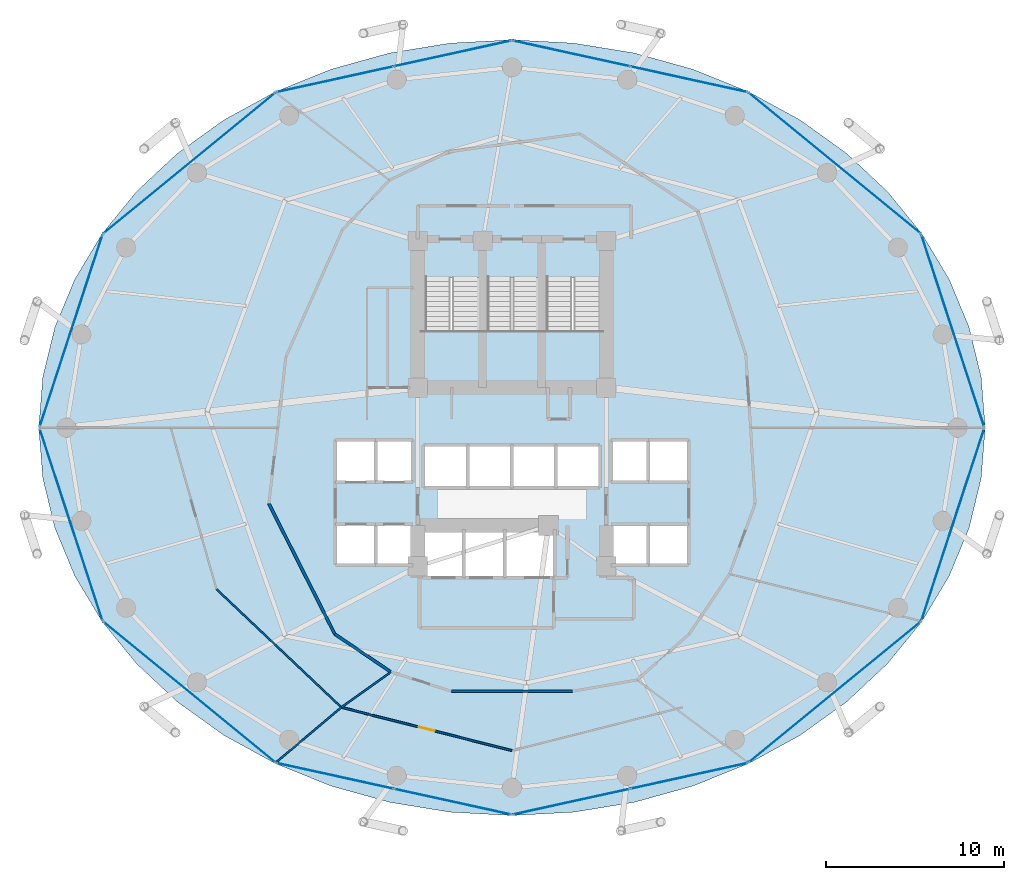
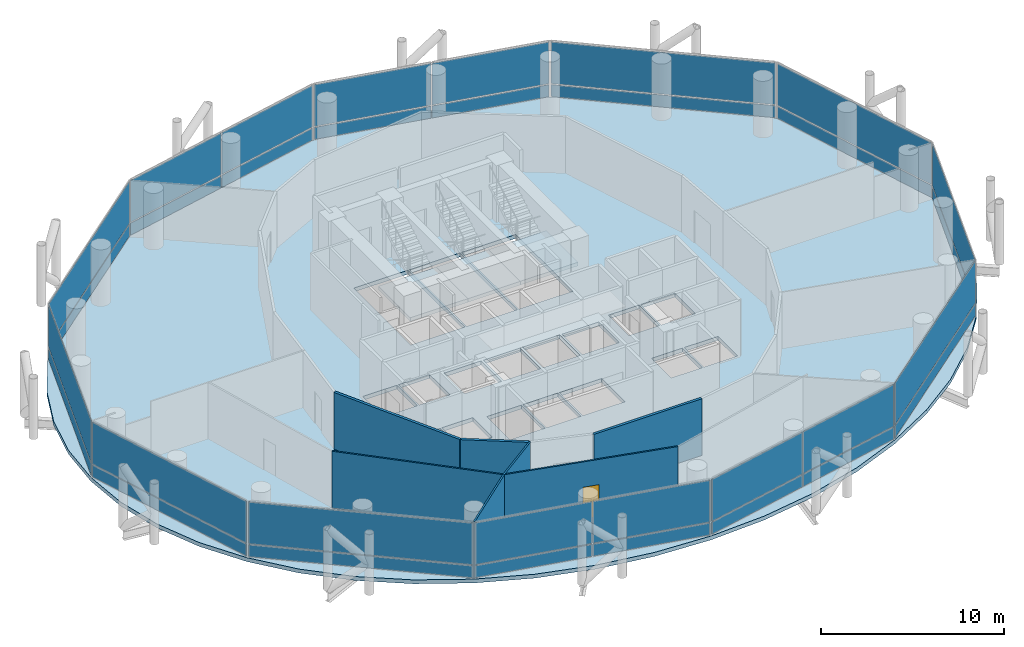
# One storey, part 20 of 24: 32 plates, 7 walls, 4 slabs, 1 door, 1 opening, 15 elements without a shape of their own.
"""IFC4 building model written with IfcOpenShell, lengths in metres."""

from ifc_helpers import new_model, si_unit, direction, frame, frame_2d, origin, origin_2d, place, context, subcontext, project, spatial, polyline, rectangle, outline, extrude, material, layer, layer_set, type_object, element, fill, aggregate, save


model = new_model("IFC4")

# Units and contexts
model_context = context("Model", 3, precision=1e-05, world=origin(), true_north=direction((0.0, 1.0)))
body_context = subcontext(model_context, "Body", "Model", "MODEL_VIEW")
ifc_project = project(units=[si_unit("LENGTHUNIT", "METRE"), si_unit("AREAUNIT", "SQUARE_METRE"), si_unit("VOLUMEUNIT", "CUBIC_METRE"), si_unit("PLANEANGLEUNIT", "RADIAN"), si_unit("MASSUNIT", "GRAM", prefix="KILO")], contexts=[model_context])

# Site, building, storey
site_placement = place(None, origin())
site = spatial("IfcSite", under=ifc_project, at=site_placement, CompositionType="ELEMENT")
building_placement = place(site_placement, origin())
building = spatial("IfcBuilding", under=site, at=building_placement, Name="Nuhasar Tower", CompositionType="ELEMENT")
storey_placement = place(building_placement, frame((0.0, 0.0, 33.14990234375)))
storey = spatial("IfcBuildingStorey", under=building, at=storey_placement, Name="L07", CompositionType="ELEMENT", Elevation=33.14990234375)

# Curtain wall, plate
ifc_material_1 = material(Name="Aluminium 6063-T6", Category="aluminium")
ifc_layer_1 = layer(ifc_material_1, 0.199951171875)
ifc_layer_set_1 = layer_set([ifc_layer_1], Name="Aluminium 6063-T6")
curtain_wall_type = type_object("IfcCurtainWallType", Name="CW-Z1-OFF", PredefinedType="NOTDEFINED", material=ifc_layer_set_1)
curtain_wall_1_placement = place(storey_placement, origin())
curtain_wall_1 = element("IfcCurtainWall", 1, at=curtain_wall_1_placement, inside=storey, type_object=curtain_wall_type, Name="L07 Unitised Curtain Wall 01", PredefinedType="NOTDEFINED")
ifc_material_2 = material(Name="Glass Double Low-E", Category="glass")
ifc_layer_2 = layer(ifc_material_2, 0.028076171875)
ifc_layer_set_2 = layer_set([ifc_layer_2], Name="Glass Double Low-E")
plate_type_1 = type_object("IfcPlateType", Name="CW-PANEL-GLZ", PredefinedType="CURTAIN_PANEL", material=ifc_layer_set_2)
plate_1_placement = place(storey_placement, frame((63.781005859375, 32.239990234375, 0.9326171875), z_axis=(0.0, 0.0, 1.0), x_axis=(-0.310823849997, 0.950467534571, 0.0)))
plate_1 = element("IfcPlate", 2, at=plate_1_placement, type_object=plate_type_1, Name="CW-Z1 panel 1.2", PredefinedType="CURTAIN_PANEL", context=body_context, shape_type="SweptSolid", body=[
    extrude(rectangle(XDim=11.31689453125, YDim=0.028076171875, at=origin_2d()), origin(), (0.0, 0.0, 1.0), 2.79248046875),
])

curtain_wall_2_placement = place(storey_placement, origin())
curtain_wall_2 = element("IfcCurtainWall", 3, at=curtain_wall_2_placement, inside=storey, type_object=curtain_wall_type, Name="L07 Unitised Curtain Wall 02", PredefinedType="NOTDEFINED")
plate_2_placement = place(storey_placement, frame((57.14111328125, 41.66259765625, 0.9326171875), z_axis=(0.0, 0.0, 1.0), x_axis=(-0.773542364946, 0.633744593376, 0.0)))
plate_2 = element("IfcPlate", 4, at=plate_2_placement, type_object=plate_type_1, Name="CW-Z1 panel 1.2", PredefinedType="CURTAIN_PANEL", context=body_context, shape_type="SweptSolid", body=[
    extrude(rectangle(XDim=12.438232421875, YDim=0.028076171875, at=origin_2d()), origin(), (0.0, 0.0, 1.0), 2.79248046875),
])

# Curtain wall, plates
curtain_wall_3_placement = place(storey_placement, origin())
curtain_wall_3 = element("IfcCurtainWall", 5, at=curtain_wall_3_placement, inside=storey, type_object=curtain_wall_type, Name="L07 Unitised Curtain Wall 03", PredefinedType="NOTDEFINED")
plate_3_placement = place(storey_placement, frame((48.944091796875, 46.377197265625, 0.9326171875), z_axis=(0.0, 0.0, 1.0), x_axis=(-0.976746221544, 0.214398737637, 0.0)))
plate_3 = element("IfcPlate", 6, at=plate_3_placement, type_object=plate_type_1, Name="CW-Z1 panel 1.2", PredefinedType="CURTAIN_PANEL", context=body_context, shape_type="SweptSolid", body=[
    extrude(rectangle(XDim=6.70068359375, YDim=0.028076171875, at=origin_2d()), origin(), (0.0, 0.0, 1.0), 2.79248046875),
])
plate_4_placement = place(storey_placement, frame((42.3359375, 47.827880859375, 0.9326171875), z_axis=(0.0, 0.0, 1.0), x_axis=(-0.976746221544, 0.214398737637, 0.0)))
plate_4 = element("IfcPlate", 7, at=plate_4_placement, type_object=plate_type_1, Name="CW-Z1 panel 2.2", PredefinedType="CURTAIN_PANEL", context=body_context, shape_type="SweptSolid", body=[
    extrude(rectangle(XDim=6.70068359375, YDim=0.028076171875, at=origin_2d()), origin(), (0.0, 0.0, 1.0), 2.79248046875),
])

curtain_wall_4_placement = place(storey_placement, origin())
curtain_wall_4 = element("IfcCurtainWall", 8, at=curtain_wall_4_placement, inside=storey, type_object=curtain_wall_type, Name="L07 Unitised Curtain Wall 04", PredefinedType="NOTDEFINED")
plate_5_placement = place(storey_placement, frame((35.6640625, 47.827880859375, 0.9326171875), z_axis=(0.0, 0.0, 1.0), x_axis=(-0.976746221544, -0.214398737637, 0.0)))
plate_5 = element("IfcPlate", 9, at=plate_5_placement, type_object=plate_type_1, Name="CW-Z1 panel 1.2", PredefinedType="CURTAIN_PANEL", context=body_context, shape_type="SweptSolid", body=[
    extrude(rectangle(XDim=6.70068359375, YDim=0.028076171875, at=origin_2d()), origin(), (0.0, 0.0, 1.0), 2.79248046875),
])
plate_6_placement = place(storey_placement, frame((29.055908203125, 46.377197265625, 0.9326171875), z_axis=(0.0, 0.0, 1.0), x_axis=(-0.976746221544, -0.214398737637, 0.0)))
plate_6 = element("IfcPlate", 10, at=plate_6_placement, type_object=plate_type_1, Name="CW-Z1 panel 2.2", PredefinedType="CURTAIN_PANEL", context=body_context, shape_type="SweptSolid", body=[
    extrude(rectangle(XDim=6.70068359375, YDim=0.028076171875, at=origin_2d()), origin(), (0.0, 0.0, 1.0), 2.79248046875),
])

# Curtain wall, plate
curtain_wall_5_placement = place(storey_placement, origin())
curtain_wall_5 = element("IfcCurtainWall", 11, at=curtain_wall_5_placement, inside=storey, type_object=curtain_wall_type, Name="L07 Unitised Curtain Wall 05", PredefinedType="NOTDEFINED")
plate_7_placement = place(storey_placement, frame((20.85888671875, 41.66259765625, 0.9326171875), z_axis=(0.0, 0.0, 1.0), x_axis=(-0.773542364946, -0.633744593376, 0.0)))
plate_7 = element("IfcPlate", 12, at=plate_7_placement, type_object=plate_type_1, Name="CW-Z1 panel 1.2", PredefinedType="CURTAIN_PANEL", context=body_context, shape_type="SweptSolid", body=[
    extrude(rectangle(XDim=12.438232421875, YDim=0.028076171875, at=origin_2d()), origin(), (0.0, 0.0, 1.0), 2.79248046875),
])

curtain_wall_6_placement = place(storey_placement, origin())
curtain_wall_6 = element("IfcCurtainWall", 13, at=curtain_wall_6_placement, inside=storey, type_object=curtain_wall_type, Name="L07 Unitised Curtain Wall 06", PredefinedType="NOTDEFINED")
plate_8_placement = place(storey_placement, frame((14.218994140625, 32.239990234375, 0.9326171875), z_axis=(0.0, 0.0, 1.0), x_axis=(-0.310823849997, -0.950467534571, 0.0)))
plate_8 = element("IfcPlate", 14, at=plate_8_placement, type_object=plate_type_1, Name="CW-Z1 panel 1.2", PredefinedType="CURTAIN_PANEL", context=body_context, shape_type="SweptSolid", body=[
    extrude(rectangle(XDim=11.31689453125, YDim=0.028076171875, at=origin_2d()), origin(), (0.0, 0.0, 1.0), 2.79248046875),
])

curtain_wall_7_placement = place(storey_placement, origin())
curtain_wall_7 = element("IfcCurtainWall", 15, at=curtain_wall_7_placement, inside=storey, type_object=curtain_wall_type, Name="L07 Unitised Curtain Wall 07", PredefinedType="NOTDEFINED")
plate_9_placement = place(storey_placement, frame((14.218994140625, 21.360107421875, 0.9326171875), z_axis=(0.0, 0.0, 1.0), x_axis=(0.310823849997, -0.950467534571, 0.0)))
plate_9 = element("IfcPlate", 16, at=plate_9_placement, type_object=plate_type_1, Name="CW-Z1 panel 1.2", PredefinedType="CURTAIN_PANEL", context=body_context, shape_type="SweptSolid", body=[
    extrude(rectangle(XDim=11.31689453125, YDim=0.028076171875, at=origin_2d()), origin(), (0.0, 0.0, 1.0), 2.79248046875),
])

curtain_wall_8_placement = place(storey_placement, origin())
curtain_wall_8 = element("IfcCurtainWall", 17, at=curtain_wall_8_placement, inside=storey, type_object=curtain_wall_type, Name="L07 Unitised Curtain Wall 08", PredefinedType="NOTDEFINED")
plate_10_placement = place(storey_placement, frame((20.85888671875, 11.9375, 0.9326171875), z_axis=(0.0, 0.0, 1.0), x_axis=(0.773542364946, -0.633744593376, 0.0)))
plate_10 = element("IfcPlate", 18, at=plate_10_placement, type_object=plate_type_1, Name="CW-Z1 panel 1.2", PredefinedType="CURTAIN_PANEL", context=body_context, shape_type="SweptSolid", body=[
    extrude(rectangle(XDim=12.438232421875, YDim=0.028076171875, at=origin_2d()), origin(), (0.0, 0.0, 1.0), 2.79248046875),
])

# Curtain wall, plates
curtain_wall_9_placement = place(storey_placement, origin())
curtain_wall_9 = element("IfcCurtainWall", 19, at=curtain_wall_9_placement, inside=storey, type_object=curtain_wall_type, Name="L07 Unitised Curtain Wall 09", PredefinedType="NOTDEFINED")
plate_11_placement = place(storey_placement, frame((29.055908203125, 7.22265625, 0.9326171875), z_axis=(0.0, 0.0, 1.0), x_axis=(0.976746221544, -0.214398737637, 0.0)))
plate_11 = element("IfcPlate", 20, at=plate_11_placement, type_object=plate_type_1, Name="CW-Z1 panel 1.2", PredefinedType="CURTAIN_PANEL", context=body_context, shape_type="SweptSolid", body=[
    extrude(rectangle(XDim=6.70068359375, YDim=0.028076171875, at=origin_2d()), origin(), (0.0, 0.0, 1.0), 2.79248046875),
])
plate_12_placement = place(storey_placement, frame((35.6640625, 5.772216796875, 0.9326171875), z_axis=(0.0, 0.0, 1.0), x_axis=(0.976746221544, -0.214398737637, 0.0)))
plate_12 = element("IfcPlate", 21, at=plate_12_placement, type_object=plate_type_1, Name="CW-Z1 panel 2.2", PredefinedType="CURTAIN_PANEL", context=body_context, shape_type="SweptSolid", body=[
    extrude(rectangle(XDim=6.70068359375, YDim=0.028076171875, at=origin_2d()), origin(), (0.0, 0.0, 1.0), 2.79248046875),
])

curtain_wall_10_placement = place(storey_placement, origin())
curtain_wall_10 = element("IfcCurtainWall", 22, at=curtain_wall_10_placement, inside=storey, type_object=curtain_wall_type, Name="L07 Unitised Curtain Wall 10", PredefinedType="NOTDEFINED")
plate_13_placement = place(storey_placement, frame((42.3359375, 5.772216796875, 0.9326171875), z_axis=(0.0, 0.0, 1.0), x_axis=(0.976746221544, 0.214398737637, 0.0)))
plate_13 = element("IfcPlate", 23, at=plate_13_placement, type_object=plate_type_1, Name="CW-Z1 panel 1.2", PredefinedType="CURTAIN_PANEL", context=body_context, shape_type="SweptSolid", body=[
    extrude(rectangle(XDim=6.70068359375, YDim=0.028076171875, at=origin_2d()), origin(), (0.0, 0.0, 1.0), 2.79248046875),
])
plate_14_placement = place(storey_placement, frame((48.944091796875, 7.22265625, 0.9326171875), z_axis=(0.0, 0.0, 1.0), x_axis=(0.976746221544, 0.214398737637, 0.0)))
plate_14 = element("IfcPlate", 24, at=plate_14_placement, type_object=plate_type_1, Name="CW-Z1 panel 2.2", PredefinedType="CURTAIN_PANEL", context=body_context, shape_type="SweptSolid", body=[
    extrude(rectangle(XDim=6.70068359375, YDim=0.028076171875, at=origin_2d()), origin(), (0.0, 0.0, 1.0), 2.79248046875),
])

# Curtain wall, plate
curtain_wall_11_placement = place(storey_placement, origin())
curtain_wall_11 = element("IfcCurtainWall", 25, at=curtain_wall_11_placement, inside=storey, type_object=curtain_wall_type, Name="L07 Unitised Curtain Wall 11", PredefinedType="NOTDEFINED")
plate_15_placement = place(storey_placement, frame((57.14111328125, 11.9375, 0.9326171875), z_axis=(0.0, 0.0, 1.0), x_axis=(0.773542364946, 0.633744593376, 0.0)))
plate_15 = element("IfcPlate", 26, at=plate_15_placement, type_object=plate_type_1, Name="CW-Z1 panel 1.2", PredefinedType="CURTAIN_PANEL", context=body_context, shape_type="SweptSolid", body=[
    extrude(rectangle(XDim=12.438232421875, YDim=0.028076171875, at=origin_2d()), origin(), (0.0, 0.0, 1.0), 2.79248046875),
])

curtain_wall_12_placement = place(storey_placement, origin())
curtain_wall_12 = element("IfcCurtainWall", 27, at=curtain_wall_12_placement, inside=storey, type_object=curtain_wall_type, Name="L07 Unitised Curtain Wall 12", PredefinedType="NOTDEFINED")
plate_16_placement = place(storey_placement, frame((63.781005859375, 21.360107421875, 0.9326171875), z_axis=(0.0, 0.0, 1.0), x_axis=(0.310823849997, 0.950467534571, 0.0)))
plate_16 = element("IfcPlate", 28, at=plate_16_placement, type_object=plate_type_1, Name="CW-Z1 panel 1.2", PredefinedType="CURTAIN_PANEL", context=body_context, shape_type="SweptSolid", body=[
    extrude(rectangle(XDim=11.31689453125, YDim=0.028076171875, at=origin_2d()), origin(), (0.0, 0.0, 1.0), 2.79248046875),
])

# Plate
ifc_material_3 = material(Name="Glass Spandrel", Category="glass")
ifc_layer_3 = layer(ifc_material_3, 0.035888671875)
ifc_layer_set_3 = layer_set([ifc_layer_3], Name="Glass Spandrel")
plate_type_2 = type_object("IfcPlateType", Name="CW-PANEL-SPN", PredefinedType="CURTAIN_PANEL", material=ifc_layer_set_3)
plate_17_placement = place(storey_placement, frame((63.781005859375, 32.239990234375, 0.06494140625), z_axis=(0.0, 0.0, 1.0), x_axis=(-0.310823849997, 0.950467534571, 0.0)))
plate_17 = element("IfcPlate", 29, at=plate_17_placement, type_object=plate_type_2, Name="CW-Z1 panel 1.1", PredefinedType="CURTAIN_PANEL", context=body_context, shape_type="SweptSolid", body=[
    extrude(rectangle(XDim=11.31689453125, YDim=0.035888671875, at=origin_2d()), origin(), (0.0, 0.0, 1.0), 0.802490234375),
])

aggregate(curtain_wall_1, [plate_17, plate_1])

plate_18_placement = place(storey_placement, frame((57.14111328125, 41.66259765625, 0.06494140625), z_axis=(0.0, 0.0, 1.0), x_axis=(-0.773542364946, 0.633744593376, 0.0)))
plate_18 = element("IfcPlate", 30, at=plate_18_placement, type_object=plate_type_2, Name="CW-Z1 panel 1.1", PredefinedType="CURTAIN_PANEL", context=body_context, shape_type="SweptSolid", body=[
    extrude(rectangle(XDim=12.438232421875, YDim=0.035888671875, at=origin_2d()), origin(), (0.0, 0.0, 1.0), 0.802490234375),
])

aggregate(curtain_wall_2, [plate_18, plate_2])

plate_19_placement = place(storey_placement, frame((48.944091796875, 46.377197265625, 0.06494140625), z_axis=(0.0, 0.0, 1.0), x_axis=(-0.976746221544, 0.214398737637, 0.0)))
plate_19 = element("IfcPlate", 31, at=plate_19_placement, type_object=plate_type_2, Name="CW-Z1 panel 1.1", PredefinedType="CURTAIN_PANEL", context=body_context, shape_type="SweptSolid", body=[
    extrude(rectangle(XDim=6.70068359375, YDim=0.035888671875, at=origin_2d()), origin(), (0.0, 0.0, 1.0), 0.802490234375),
])

plate_20_placement = place(storey_placement, frame((42.3359375, 47.827880859375, 0.06494140625), z_axis=(0.0, 0.0, 1.0), x_axis=(-0.976746221544, 0.214398737637, 0.0)))
plate_20 = element("IfcPlate", 32, at=plate_20_placement, type_object=plate_type_2, Name="CW-Z1 panel 2.1", PredefinedType="CURTAIN_PANEL", context=body_context, shape_type="SweptSolid", body=[
    extrude(rectangle(XDim=6.70068359375, YDim=0.035888671875, at=origin_2d()), origin(), (0.0, 0.0, 1.0), 0.802490234375),
])

aggregate(curtain_wall_3, [plate_19, plate_3, plate_20, plate_4])

plate_21_placement = place(storey_placement, frame((35.6640625, 47.827880859375, 0.06494140625), z_axis=(0.0, 0.0, 1.0), x_axis=(-0.976746221544, -0.214398737637, 0.0)))
plate_21 = element("IfcPlate", 33, at=plate_21_placement, type_object=plate_type_2, Name="CW-Z1 panel 1.1", PredefinedType="CURTAIN_PANEL", context=body_context, shape_type="SweptSolid", body=[
    extrude(rectangle(XDim=6.70068359375, YDim=0.035888671875, at=origin_2d()), origin(), (0.0, 0.0, 1.0), 0.802490234375),
])

plate_22_placement = place(storey_placement, frame((29.055908203125, 46.377197265625, 0.06494140625), z_axis=(0.0, 0.0, 1.0), x_axis=(-0.976746221544, -0.214398737637, 0.0)))
plate_22 = element("IfcPlate", 34, at=plate_22_placement, type_object=plate_type_2, Name="CW-Z1 panel 2.1", PredefinedType="CURTAIN_PANEL", context=body_context, shape_type="SweptSolid", body=[
    extrude(rectangle(XDim=6.70068359375, YDim=0.035888671875, at=origin_2d()), origin(), (0.0, 0.0, 1.0), 0.802490234375),
])

aggregate(curtain_wall_4, [plate_21, plate_5, plate_22, plate_6])

plate_23_placement = place(storey_placement, frame((20.85888671875, 41.66259765625, 0.06494140625), z_axis=(0.0, 0.0, 1.0), x_axis=(-0.773542364946, -0.633744593376, 0.0)))
plate_23 = element("IfcPlate", 35, at=plate_23_placement, type_object=plate_type_2, Name="CW-Z1 panel 1.1", PredefinedType="CURTAIN_PANEL", context=body_context, shape_type="SweptSolid", body=[
    extrude(rectangle(XDim=12.438232421875, YDim=0.035888671875, at=origin_2d()), origin(), (0.0, 0.0, 1.0), 0.802490234375),
])

aggregate(curtain_wall_5, [plate_23, plate_7])

plate_24_placement = place(storey_placement, frame((14.218994140625, 32.239990234375, 0.06494140625), z_axis=(0.0, 0.0, 1.0), x_axis=(-0.310823849997, -0.950467534571, 0.0)))
plate_24 = element("IfcPlate", 36, at=plate_24_placement, type_object=plate_type_2, Name="CW-Z1 panel 1.1", PredefinedType="CURTAIN_PANEL", context=body_context, shape_type="SweptSolid", body=[
    extrude(rectangle(XDim=11.31689453125, YDim=0.035888671875, at=origin_2d()), origin(), (0.0, 0.0, 1.0), 0.802490234375),
])

aggregate(curtain_wall_6, [plate_24, plate_8])

plate_25_placement = place(storey_placement, frame((14.218994140625, 21.360107421875, 0.06494140625), z_axis=(0.0, 0.0, 1.0), x_axis=(0.310823849997, -0.950467534571, 0.0)))
plate_25 = element("IfcPlate", 37, at=plate_25_placement, type_object=plate_type_2, Name="CW-Z1 panel 1.1", PredefinedType="CURTAIN_PANEL", context=body_context, shape_type="SweptSolid", body=[
    extrude(rectangle(XDim=11.31689453125, YDim=0.035888671875, at=origin_2d()), origin(), (0.0, 0.0, 1.0), 0.802490234375),
])

aggregate(curtain_wall_7, [plate_25, plate_9])

plate_26_placement = place(storey_placement, frame((20.85888671875, 11.9375, 0.06494140625), z_axis=(0.0, 0.0, 1.0), x_axis=(0.773542364946, -0.633744593376, 0.0)))
plate_26 = element("IfcPlate", 38, at=plate_26_placement, type_object=plate_type_2, Name="CW-Z1 panel 1.1", PredefinedType="CURTAIN_PANEL", context=body_context, shape_type="SweptSolid", body=[
    extrude(rectangle(XDim=12.438232421875, YDim=0.035888671875, at=origin_2d()), origin(), (0.0, 0.0, 1.0), 0.802490234375),
])

aggregate(curtain_wall_8, [plate_26, plate_10])

plate_27_placement = place(storey_placement, frame((29.055908203125, 7.22265625, 0.06494140625), z_axis=(0.0, 0.0, 1.0), x_axis=(0.976746221544, -0.214398737637, 0.0)))
plate_27 = element("IfcPlate", 39, at=plate_27_placement, type_object=plate_type_2, Name="CW-Z1 panel 1.1", PredefinedType="CURTAIN_PANEL", context=body_context, shape_type="SweptSolid", body=[
    extrude(rectangle(XDim=6.70068359375, YDim=0.035888671875, at=origin_2d()), origin(), (0.0, 0.0, 1.0), 0.802490234375),
])

plate_28_placement = place(storey_placement, frame((35.6640625, 5.772216796875, 0.06494140625), z_axis=(0.0, 0.0, 1.0), x_axis=(0.976746221544, -0.214398737637, 0.0)))
plate_28 = element("IfcPlate", 40, at=plate_28_placement, type_object=plate_type_2, Name="CW-Z1 panel 2.1", PredefinedType="CURTAIN_PANEL", context=body_context, shape_type="SweptSolid", body=[
    extrude(rectangle(XDim=6.70068359375, YDim=0.035888671875, at=origin_2d()), origin(), (0.0, 0.0, 1.0), 0.802490234375),
])

aggregate(curtain_wall_9, [plate_27, plate_11, plate_28, plate_12])

plate_29_placement = place(storey_placement, frame((42.3359375, 5.772216796875, 0.06494140625), z_axis=(0.0, 0.0, 1.0), x_axis=(0.976746221544, 0.214398737637, 0.0)))
plate_29 = element("IfcPlate", 41, at=plate_29_placement, type_object=plate_type_2, Name="CW-Z1 panel 1.1", PredefinedType="CURTAIN_PANEL", context=body_context, shape_type="SweptSolid", body=[
    extrude(rectangle(XDim=6.70068359375, YDim=0.035888671875, at=origin_2d()), origin(), (0.0, 0.0, 1.0), 0.802490234375),
])

plate_30_placement = place(storey_placement, frame((48.944091796875, 7.22265625, 0.06494140625), z_axis=(0.0, 0.0, 1.0), x_axis=(0.976746221544, 0.214398737637, 0.0)))
plate_30 = element("IfcPlate", 42, at=plate_30_placement, type_object=plate_type_2, Name="CW-Z1 panel 2.1", PredefinedType="CURTAIN_PANEL", context=body_context, shape_type="SweptSolid", body=[
    extrude(rectangle(XDim=6.70068359375, YDim=0.035888671875, at=origin_2d()), origin(), (0.0, 0.0, 1.0), 0.802490234375),
])

aggregate(curtain_wall_10, [plate_29, plate_13, plate_30, plate_14])

plate_31_placement = place(storey_placement, frame((57.14111328125, 11.9375, 0.06494140625), z_axis=(0.0, 0.0, 1.0), x_axis=(0.773542364946, 0.633744593376, 0.0)))
plate_31 = element("IfcPlate", 43, at=plate_31_placement, type_object=plate_type_2, Name="CW-Z1 panel 1.1", PredefinedType="CURTAIN_PANEL", context=body_context, shape_type="SweptSolid", body=[
    extrude(rectangle(XDim=12.438232421875, YDim=0.035888671875, at=origin_2d()), origin(), (0.0, 0.0, 1.0), 0.802490234375),
])

aggregate(curtain_wall_11, [plate_31, plate_15])

plate_32_placement = place(storey_placement, frame((63.781005859375, 21.360107421875, 0.06494140625), z_axis=(0.0, 0.0, 1.0), x_axis=(0.310823849997, 0.950467534571, 0.0)))
plate_32 = element("IfcPlate", 44, at=plate_32_placement, type_object=plate_type_2, Name="CW-Z1 panel 1.1", PredefinedType="CURTAIN_PANEL", context=body_context, shape_type="SweptSolid", body=[
    extrude(rectangle(XDim=11.31689453125, YDim=0.035888671875, at=origin_2d()), origin(), (0.0, 0.0, 1.0), 0.802490234375),
])

aggregate(curtain_wall_12, [plate_32, plate_16])

# Stair, slab
ifc_material_4 = material(Name="Concrete C45/55", Category="concrete")
stair_type_1 = type_object("IfcStairType", Name="STR-ST-01-2F-24R-1688", PredefinedType="HALF_TURN_STAIR", material=ifc_material_4)
stair_1_placement = place(storey_placement, origin())
stair_1 = element("IfcStair", 45, at=stair_1_placement, inside=storey, type_object=stair_type_1, Name="L07 Exit Stair ST-01", PredefinedType="HALF_TURN_STAIR")
ifc_layer_4 = layer(ifc_material_4, 0.239990234375)
ifc_layer_set_4 = layer_set([ifc_layer_4], Name="Concrete C45/55")
slab_type_1 = type_object("IfcSlabType", Name="SLB-STAIR-LND-240", PredefinedType="LANDING", material=ifc_layer_set_4)
slab_1_placement = place(storey_placement, frame((0.0, 0.0, 1.78515625)))
slab_1 = element("IfcSlab", 46, at=slab_1_placement, type_object=slab_type_1, Name="ST-01 landing 1", PredefinedType="LANDING", context=body_context, shape_type="SweptSolid", body=[
    extrude(outline(polyline([(33.699951171875, 28.75), (37.35009765625, 28.75), (37.35009765625, 32.239990234375), (33.699951171875, 32.239990234375), (33.699951171875, 28.75)])), origin(), (0.0, 0.0, 1.0), 0.239990234375),
])
aggregate(stair_1, [slab_1])

stair_type_2 = type_object("IfcStairType", Name="STR-ST-03-2F-24R-1688", PredefinedType="HALF_TURN_STAIR", material=ifc_material_4)
stair_2_placement = place(storey_placement, origin())
stair_2 = element("IfcStair", 47, at=stair_2_placement, inside=storey, type_object=stair_type_2, Name="L07 Exit Stair ST-03", PredefinedType="HALF_TURN_STAIR")
slab_2_placement = place(storey_placement, frame((0.0, 0.0, 1.78515625)))
slab_2 = element("IfcSlab", 48, at=slab_2_placement, type_object=slab_type_1, Name="ST-03 landing 1", PredefinedType="LANDING", context=body_context, shape_type="SweptSolid", body=[
    extrude(outline(polyline([(37.35009765625, 28.75), (40.64990234375, 28.75), (40.64990234375, 32.239990234375), (37.35009765625, 32.239990234375), (37.35009765625, 28.75)])), origin(), (0.0, 0.0, 1.0), 0.239990234375),
])
aggregate(stair_2, [slab_2])

stair_type_3 = type_object("IfcStairType", Name="STR-ST-02-2F-24R-1688", PredefinedType="HALF_TURN_STAIR", material=ifc_material_4)
stair_3_placement = place(storey_placement, origin())
stair_3 = element("IfcStair", 49, at=stair_3_placement, inside=storey, type_object=stair_type_3, Name="L07 Exit Stair ST-02", PredefinedType="HALF_TURN_STAIR")
slab_3_placement = place(storey_placement, frame((0.0, 0.0, 1.78515625)))
slab_3 = element("IfcSlab", 50, at=slab_3_placement, type_object=slab_type_1, Name="ST-02 landing 1", PredefinedType="LANDING", context=body_context, shape_type="SweptSolid", body=[
    extrude(outline(polyline([(40.64990234375, 28.75), (44.300048828125, 28.75), (44.300048828125, 32.239990234375), (40.64990234375, 32.239990234375), (40.64990234375, 28.75)])), origin(), (0.0, 0.0, 1.0), 0.239990234375),
])
aggregate(stair_3, [slab_3])

# Slab
ifc_material_5 = material(Name="Concrete C50/60", Category="concrete")
ifc_layer_5 = layer(ifc_material_5, 0.260009765625)
ifc_layer_set_5 = layer_set([ifc_layer_5], Name="Concrete C50/60")
slab_type_2 = type_object("IfcSlabType", Name="SLB-Z1A-260", PredefinedType="FLOOR", material=ifc_layer_set_5)
slab_4_placement = place(storey_placement, frame((0.0, 0.0, -0.260009765625)))
element("IfcSlab", 51, at=slab_4_placement, inside=storey, type_object=slab_type_2, Name="L07 Structural Slab", PredefinedType="FLOOR", context=body_context, shape_type="SweptSolid", body=[
    extrude(outline(polyline([(65.60009765625, 26.800048828125), (65.3720703125, 29.64501953125), (64.694091796875, 32.44189453125), (63.574951171875, 35.14208984375), (62.035888671875, 37.699951171875), (60.10302734375, 40.071044921875), (57.80908203125, 42.215087890625), (55.193115234375, 44.094970703125), (52.300048828125, 45.678955078125), (49.178955078125, 46.94091796875), (45.885009765625, 47.85693359375), (42.471923828125, 48.4130859375), (39.0, 48.60009765625), (35.528076171875, 48.4130859375), (32.114990234375, 47.85693359375), (28.821044921875, 46.94091796875), (25.699951171875, 45.678955078125), (22.806884765625, 44.094970703125), (20.19091796875, 42.215087890625), (17.89697265625, 40.071044921875), (15.964111328125, 37.699951171875), (14.425048828125, 35.14208984375), (13.305908203125, 32.44189453125), (12.6279296875, 29.64501953125), (12.39990234375, 26.800048828125), (12.6279296875, 23.955078125), (13.305908203125, 21.157958984375), (14.425048828125, 18.4580078125), (15.964111328125, 15.89990234375), (17.89697265625, 13.529052734375), (20.19091796875, 11.385009765625), (22.806884765625, 9.5048828125), (25.699951171875, 7.9208984375), (28.821044921875, 6.658935546875), (32.114990234375, 5.742919921875), (35.528076171875, 5.18701171875), (39.0, 5.0), (42.471923828125, 5.18701171875), (45.885009765625, 5.742919921875), (49.178955078125, 6.658935546875), (52.300048828125, 7.9208984375), (55.193115234375, 9.5048828125), (57.80908203125, 11.385009765625), (60.10302734375, 13.529052734375), (62.035888671875, 15.89990234375), (63.574951171875, 18.4580078125), (64.694091796875, 21.157958984375), (65.3720703125, 23.955078125), (65.60009765625, 26.800048828125)]), holes=[polyline([(33.8798828125, 35.25), (37.300048828125, 35.25), (37.300048828125, 29.0), (33.8798828125, 29.0), (33.8798828125, 35.25)]), polyline([(37.39990234375, 35.25), (40.60009765625, 35.25), (40.60009765625, 29.0), (37.39990234375, 29.0), (37.39990234375, 35.25)]), polyline([(40.699951171875, 35.25), (44.1201171875, 35.25), (44.1201171875, 29.0), (40.699951171875, 29.0), (40.699951171875, 35.25)]), polyline([(29.14990234375, 26.050048828125), (31.300048828125, 26.050048828125), (31.300048828125, 23.800048828125), (29.14990234375, 23.800048828125), (29.14990234375, 26.050048828125)]), polyline([(31.39990234375, 26.050048828125), (33.35009765625, 26.050048828125), (33.35009765625, 23.800048828125), (31.39990234375, 23.800048828125), (31.39990234375, 26.050048828125)]), polyline([(29.14990234375, 21.300048828125), (31.300048828125, 21.300048828125), (31.300048828125, 19.14990234375), (29.14990234375, 19.14990234375), (29.14990234375, 21.300048828125)]), polyline([(31.39990234375, 21.300048828125), (33.35009765625, 21.300048828125), (33.35009765625, 19.14990234375), (31.39990234375, 19.14990234375), (31.39990234375, 21.300048828125)]), polyline([(44.64990234375, 26.050048828125), (46.60009765625, 26.050048828125), (46.60009765625, 23.800048828125), (44.64990234375, 23.800048828125), (44.64990234375, 26.050048828125)]), polyline([(46.699951171875, 26.050048828125), (48.85009765625, 26.050048828125), (48.85009765625, 23.800048828125), (46.699951171875, 23.800048828125), (46.699951171875, 26.050048828125)]), polyline([(44.64990234375, 21.300048828125), (46.60009765625, 21.300048828125), (46.60009765625, 19.14990234375), (44.64990234375, 19.14990234375), (44.64990234375, 21.300048828125)]), polyline([(46.699951171875, 21.300048828125), (48.85009765625, 21.300048828125), (48.85009765625, 19.14990234375), (46.699951171875, 19.14990234375), (46.699951171875, 21.300048828125)]), polyline([(34.10009765625, 25.75), (36.43994140625, 25.75), (36.43994140625, 23.5), (34.10009765625, 23.5), (34.10009765625, 25.75)]), polyline([(36.580078125, 25.75), (38.919921875, 25.75), (38.919921875, 23.5), (36.580078125, 23.5), (36.580078125, 25.75)]), polyline([(39.06005859375, 25.75), (41.39990234375, 25.75), (41.39990234375, 23.5), (39.06005859375, 23.5), (39.06005859375, 25.75)]), polyline([(41.5400390625, 25.75), (43.8798828125, 25.75), (43.8798828125, 23.5), (41.5400390625, 23.5), (41.5400390625, 25.75)]), polyline([(34.050048828125, 21.0), (36.25, 21.0), (36.25, 18.449951171875), (34.050048828125, 18.449951171875), (34.050048828125, 21.0)]), polyline([(36.35009765625, 21.0), (38.550048828125, 21.0), (38.550048828125, 18.449951171875), (36.35009765625, 18.449951171875), (36.35009765625, 21.0)]), polyline([(38.64990234375, 21.0), (41.320068359375, 21.0), (41.320068359375, 18.449951171875), (38.64990234375, 18.449951171875), (38.64990234375, 21.0)])]), origin(), (0.0, 0.0, 1.0), 0.260009765625),
])

# Walls
ifc_material_6 = material(Name="Gypsum Board", Category="gypsum")
ifc_layer_6 = layer(ifc_material_6, 0.159912109375)
ifc_layer_set_6 = layer_set([ifc_layer_6], Name="Gypsum Board")
wall_type_1 = type_object("IfcWallType", Name="WL-CORR-160", PredefinedType="PARTITIONING", material=ifc_layer_set_6)
wall_1_placement = place(storey_placement, frame((25.3330078125, 22.531982421875, 0.0), z_axis=(0.0, 0.0, 1.0), x_axis=(0.451199750168, -0.892422985724, 0.0)))
element("IfcWall", 52, at=wall_1_placement, inside=storey, type_object=wall_type_1, Name="L07 Interior Partition CORR-26", PredefinedType="PARTITIONING", context=body_context, shape_type="SweptSolid", body=[
    extrude(rectangle(XDim=8.222412109375, YDim=0.159912109375, at=frame_2d((4.111328125, 0.0))), origin(), (0.0, 0.0, 1.0), 3.7900390625),
])
wall_2_placement = place(storey_placement, frame((29.04296875, 15.194091796875, 0.0), z_axis=(0.0, 0.0, 1.0), x_axis=(0.829146824345, -0.559030896891, 0.0)))
element("IfcWall", 53, at=wall_2_placement, inside=storey, type_object=wall_type_1, Name="L07 Interior Partition CORR-30", PredefinedType="PARTITIONING", context=body_context, shape_type="SweptSolid", body=[
    extrude(rectangle(XDim=3.80517578125, YDim=0.159912109375, at=frame_2d((1.902587890625, 0.0))), origin(), (0.0, 0.0, 1.0), 3.7900390625),
])
wall_3_placement = place(storey_placement, frame((35.593994140625, 11.98291015625, 0.0), z_axis=(0.0, 0.0, 1.0), x_axis=(1.0, 0.0, 0.0)))
element("IfcWall", 54, at=wall_3_placement, inside=storey, type_object=wall_type_1, Name="L07 Interior Partition CORR-34", PredefinedType="PARTITIONING", context=body_context, shape_type="SweptSolid", body=[
    extrude(rectangle(XDim=6.81201171875, YDim=0.159912109375, at=frame_2d((3.406005859375, 0.0))), origin(), (0.0, 0.0, 1.0), 3.7900390625),
])
ifc_layer_7 = layer(ifc_material_1, 0.10009765625)
ifc_layer_set_7 = layer_set([ifc_layer_7], Name="Aluminium 6063-T6")
wall_type_2 = type_object("IfcWallType", Name="WL-MOVABLE-100", PredefinedType="MOVABLE", material=ifc_layer_set_7)
wall_4_placement = place(storey_placement, frame((22.386962890625, 17.72412109375, 0.0), z_axis=(0.0, 0.0, 1.0), x_axis=(0.726336179962, -0.687339620332, 0.0)))
element("IfcWall", 55, at=wall_4_placement, inside=storey, type_object=wall_type_2, Name="L07 Interior Partition OMID-03-28", PredefinedType="MOVABLE", context=body_context, shape_type="SweptSolid", body=[
    extrude(rectangle(XDim=9.666259765625, YDim=0.10009765625, at=frame_2d((4.8330078125, 0.0))), origin(), (0.0, 0.0, 1.0), 3.7900390625),
])
wall_5_placement = place(storey_placement, frame((32.197998046875, 13.06689453125, 0.0), z_axis=(0.0, 0.0, 1.0), x_axis=(-0.814570629384, -0.580064384138, 0.0)))
element("IfcWall", 56, at=wall_5_placement, inside=storey, type_object=wall_type_2, Name="L07 Interior Partition ORAD-32-S1", PredefinedType="MOVABLE", context=body_context, shape_type="SweptSolid", body=[
    extrude(rectangle(XDim=3.425048828125, YDim=0.10009765625, at=frame_2d((1.71240234375, 0.0))), origin(), (0.0, 0.0, 1.0), 3.7900390625),
])
wall_6_placement = place(storey_placement, frame((29.407958984375, 11.080078125, 0.0), z_axis=(0.0, 0.0, 1.0), x_axis=(-0.764632874987, -0.644466109651, 0.0)))
element("IfcWall", 57, at=wall_6_placement, inside=storey, type_object=wall_type_2, Name="L07 Interior Partition ORAD-32-S2", PredefinedType="MOVABLE", context=body_context, shape_type="SweptSolid", body=[
    extrude(rectangle(XDim=4.80078125, YDim=0.10009765625, at=frame_2d((2.400390625, 0.0))), origin(), (0.0, 0.0, 1.0), 3.7900390625),
])

# Wall, opening, door
wall_7_placement = place(storey_placement, frame((39.0, 8.64794921875, 0.0), z_axis=(0.0, 0.0, 1.0), x_axis=(-0.96932580987, 0.245779320368, 0.0)))
wall_7 = element("IfcWall", 58, at=wall_7_placement, inside=storey, type_object=wall_type_2, Name="L07 Interior Partition OMID-04-32", PredefinedType="MOVABLE", context=body_context, shape_type="SweptSolid", body=[
    extrude(rectangle(XDim=9.8955078125, YDim=0.10009765625, at=frame_2d((4.94775390625, 0.0))), origin(), (0.0, 0.0, 1.0), 3.7900390625),
])
opening_placement = place(wall_7_placement, frame((4.498046875, 0.0, 0.0)))
opening = element("IfcOpeningElement", 59, at=opening_placement, cuts=wall_7, Name="Opening DR-01", PredefinedType="OPENING", context=body_context, shape_type="SweptSolid", body=[
    extrude(rectangle(XDim=0.89990234375, YDim=2.10009765625, at=frame_2d((0.449951171875, 1.050048828125))), frame((0.0, 0.06005859375, 0.0), z_axis=(0.0, -1.0, 0.0), x_axis=(1.0, 0.0, 0.0)), (0.0, 0.0, 1.0), 0.1201171875),
])
ifc_material_7 = material(Name="Timber Oak", Category="wood")
door_type = type_object("IfcDoorType", Name="DR-ROOM-900", OperationType="NOTDEFINED", PredefinedType="DOOR", material=ifc_material_7)
door_placement = place(opening_placement, origin())
door = element("IfcDoor", 60, at=door_placement, inside=storey, type_object=door_type, Name="L07 South-Central Advisory Office Inner Door", OperationType="SINGLE_SWING_LEFT", OverallHeight=2.10009765625, OverallWidth=0.89990234375, PredefinedType="DOOR", context=body_context, shape_type="SweptSolid", body=[
    extrude(rectangle(XDim=0.89990234375, YDim=2.10009765625, at=frame_2d((0.449951171875, 1.050048828125))), frame((0.0, 0.02490234375, 0.0), z_axis=(0.0, -1.0, 0.0), x_axis=(1.0, 0.0, 0.0)), (0.0, 0.0, 1.0), 0.050048828125),
])
fill(opening, door)

save(model, "model.ifc")
